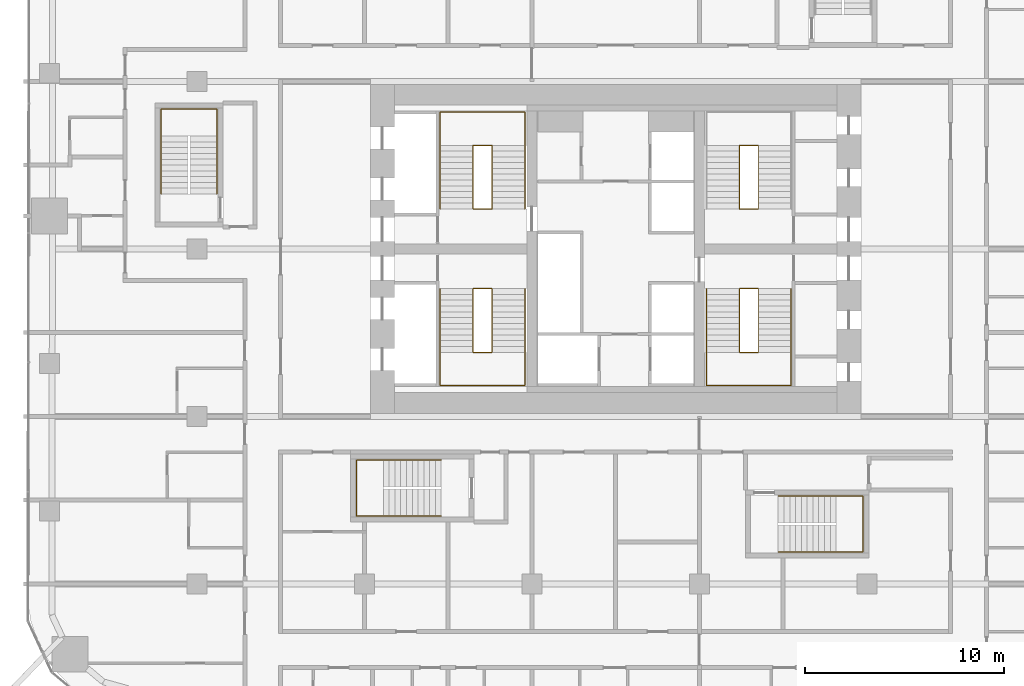
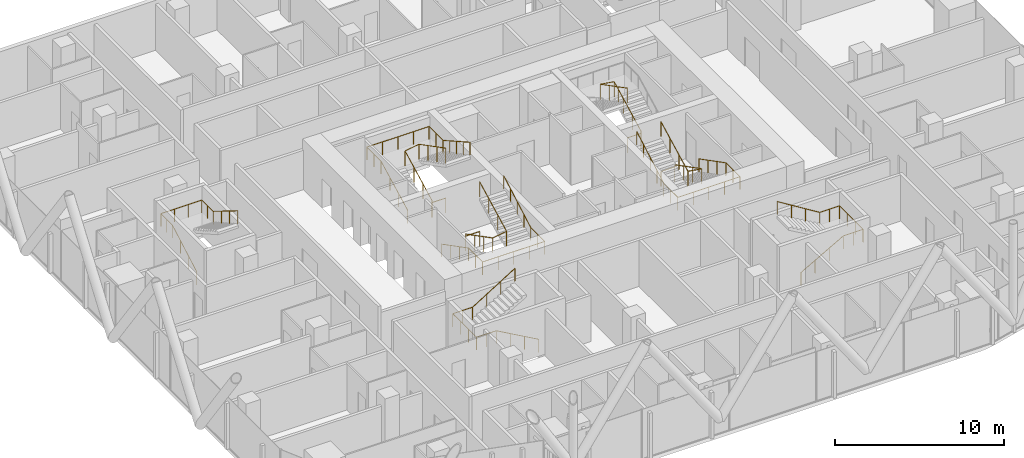
# One storey, part 34 of 35: 10 railings.
"""IFC4 building model written with IfcOpenShell, lengths in metres."""

from ifc_helpers import new_model, si_unit, direction, frame, origin, origin_2d, place, context, subcontext, project, spatial, circle, extrude, material, type_object, element, save


model = new_model("IFC4")

# Units and contexts
model_context = context("Model", 3, precision=1e-05, world=origin(), true_north=direction((0.0, 1.0)))
body_context = subcontext(model_context, "Body", "Model", "MODEL_VIEW")
ifc_project = project(units=[si_unit("LENGTHUNIT", "METRE"), si_unit("AREAUNIT", "SQUARE_METRE"), si_unit("VOLUMEUNIT", "CUBIC_METRE"), si_unit("PLANEANGLEUNIT", "RADIAN"), si_unit("MASSUNIT", "GRAM", prefix="KILO")], contexts=[model_context])

# Site, building, storey
site_placement = place(None, origin())
site = spatial("IfcSite", under=ifc_project, at=site_placement, CompositionType="ELEMENT")
building_placement = place(site_placement, origin())
building = spatial("IfcBuilding", under=site, at=building_placement, Name="Marenta Gate Hotel Tower", CompositionType="ELEMENT")
storey_placement = place(building_placement, frame((0.0, 0.0, 61.699951171875)))
storey = spatial("IfcBuildingStorey", under=building, at=storey_placement, Name="L13", CompositionType="ELEMENT", Elevation=61.699951171875)

# Railings
ifc_material_1 = material(Name="Stainless steel", Category="steel")
railing_type_1 = type_object("IfcRailingType", Name="Core stair handrail 950", PredefinedType="HANDRAIL", material=ifc_material_1)
railing_1_placement = place(storey_placement, frame((-8.800048828125, 6.39990234375, 0.150146484375)))
element("IfcRailing", 1, at=railing_1_placement, inside=storey, type_object=railing_type_1, Name="HR-950 L13-KR-ST1-1", PredefinedType="HANDRAIL", context=body_context, shape_type="SweptSolid", body=[
    extrude(circle(Radius=0.02392578125, at=origin_2d()), frame((0.0, 0.0, 0.92578125), z_axis=(0.0, -0.888225295554, 0.459408123936), x_axis=(1.0, 0.0, 0.0)), (0.0, 0.0, 1.0), 3.59130859375),
    extrude(circle(Radius=0.02392578125, at=origin_2d()), frame((0.0, -3.18994140625, 2.57568359375), z_axis=(0.0, -1.0, 0.0), x_axis=(1.0, 0.0, 0.0)), (0.0, 0.0, 1.0), 1.659912109375),
    extrude(circle(Radius=0.02392578125, at=origin_2d()), frame((0.0, -4.849853515625, 2.57568359375), z_axis=(1.0, 0.0, 0.0), x_axis=(0.0, 1.0, 0.0)), (0.0, 0.0, 1.0), 4.25),
    extrude(circle(Radius=0.02392578125, at=origin_2d()), frame((4.25, -4.849853515625, 2.57568359375), z_axis=(0.0, 1.0, 0.0), x_axis=(-1.0, 0.0, 0.0)), (0.0, 0.0, 1.0), 1.659912109375),
    extrude(circle(Radius=0.02392578125, at=origin_2d()), frame((4.25, -3.18994140625, 2.57568359375), z_axis=(0.0, 0.87090897868, 0.491444351738), x_axis=(-1.0, 0.0, 0.0)), (0.0, 0.0, 1.0), 3.662841796875),
    extrude(circle(Radius=0.02099609375, at=origin_2d()), origin(), (0.0, 0.0, 1.0), 0.90185546875),
    extrude(circle(Radius=0.02099609375, at=origin_2d()), frame((0.0, -1.063232421875, 0.550048828125)), (0.0, 0.0, 1.0), 0.90185546875),
    extrude(circle(Radius=0.02099609375, at=origin_2d()), frame((0.0, -2.126708984375, 1.099853515625)), (0.0, 0.0, 1.0), 0.90185546875),
    extrude(circle(Radius=0.02099609375, at=origin_2d()), frame((0.0, -3.18994140625, 1.64990234375)), (0.0, 0.0, 1.0), 0.90185546875),
    extrude(circle(Radius=0.02099609375, at=origin_2d()), frame((0.0, -4.02001953125, 1.64990234375)), (0.0, 0.0, 1.0), 0.90185546875),
    extrude(circle(Radius=0.02099609375, at=origin_2d()), frame((0.0, -4.849853515625, 1.64990234375)), (0.0, 0.0, 1.0), 0.90185546875),
    extrude(circle(Radius=0.02099609375, at=origin_2d()), frame((1.0625, -4.849853515625, 1.64990234375)), (0.0, 0.0, 1.0), 0.90185546875),
    extrude(circle(Radius=0.02099609375, at=origin_2d()), frame((2.125, -4.849853515625, 1.64990234375)), (0.0, 0.0, 1.0), 0.90185546875),
    extrude(circle(Radius=0.02099609375, at=origin_2d()), frame((3.1875, -4.849853515625, 1.64990234375)), (0.0, 0.0, 1.0), 0.90185546875),
    extrude(circle(Radius=0.02099609375, at=origin_2d()), frame((4.25, -4.849853515625, 1.64990234375)), (0.0, 0.0, 1.0), 0.90185546875),
    extrude(circle(Radius=0.02099609375, at=origin_2d()), frame((4.25, -4.02001953125, 1.64990234375)), (0.0, 0.0, 1.0), 0.90185546875),
    extrude(circle(Radius=0.02099609375, at=origin_2d()), frame((4.25, -3.18994140625, 1.64990234375)), (0.0, 0.0, 1.0), 0.90185546875),
    extrude(circle(Radius=0.02099609375, at=origin_2d()), frame((4.25, -2.392578125, 2.099853515625)), (0.0, 0.0, 1.0), 0.90185546875),
    extrude(circle(Radius=0.02099609375, at=origin_2d()), frame((4.25, -1.594970703125, 2.5498046875)), (0.0, 0.0, 1.0), 0.90185546875),
    extrude(circle(Radius=0.02099609375, at=origin_2d()), frame((4.25, -0.79736328125, 3.0)), (0.0, 0.0, 1.0), 0.90185546875),
    extrude(circle(Radius=0.02099609375, at=origin_2d()), frame((4.25, 0.0, 3.449951171875)), (0.0, 0.0, 1.0), 0.90185546875),
])
railing_2_placement = place(storey_placement, frame((-8.800048828125, 10.39990234375, 0.150146484375)))
element("IfcRailing", 2, at=railing_2_placement, inside=storey, type_object=railing_type_1, Name="HR-950 L13-KR-ST2-1", PredefinedType="HANDRAIL", context=body_context, shape_type="SweptSolid", body=[
    extrude(circle(Radius=0.02392578125, at=origin_2d()), frame((0.0, 0.0, 0.92578125), z_axis=(0.0, 0.888239641807, 0.459380385653), x_axis=(-1.0, 0.0, 0.0)), (0.0, 0.0, 1.0), 3.591552734375),
    extrude(circle(Radius=0.02392578125, at=origin_2d()), frame((0.0, 3.190185546875, 2.57568359375), z_axis=(0.0, 1.0, 0.0), x_axis=(-1.0, 0.0, 0.0)), (0.0, 0.0, 1.0), 1.659912109375),
    extrude(circle(Radius=0.02392578125, at=origin_2d()), frame((0.0, 4.85009765625, 2.57568359375), z_axis=(1.0, 0.0, 0.0), x_axis=(0.0, 1.0, 0.0)), (0.0, 0.0, 1.0), 4.25),
    extrude(circle(Radius=0.02392578125, at=origin_2d()), frame((4.25, 4.85009765625, 2.57568359375), z_axis=(0.0, -1.0, 0.0), x_axis=(1.0, 0.0, 0.0)), (0.0, 0.0, 1.0), 1.659912109375),
    extrude(circle(Radius=0.02392578125, at=origin_2d()), frame((4.25, 3.190185546875, 2.57568359375), z_axis=(0.0, -0.870925075533, 0.491415824742), x_axis=(1.0, 0.0, 0.0)), (0.0, 0.0, 1.0), 3.6630859375),
    extrude(circle(Radius=0.02099609375, at=origin_2d()), origin(), (0.0, 0.0, 1.0), 0.90185546875),
    extrude(circle(Radius=0.02099609375, at=origin_2d()), frame((0.0, 1.0634765625, 0.550048828125)), (0.0, 0.0, 1.0), 0.90185546875),
    extrude(circle(Radius=0.02099609375, at=origin_2d()), frame((0.0, 2.126708984375, 1.099853515625)), (0.0, 0.0, 1.0), 0.90185546875),
    extrude(circle(Radius=0.02099609375, at=origin_2d()), frame((0.0, 3.190185546875, 1.64990234375)), (0.0, 0.0, 1.0), 0.90185546875),
    extrude(circle(Radius=0.02099609375, at=origin_2d()), frame((0.0, 4.02001953125, 1.64990234375)), (0.0, 0.0, 1.0), 0.90185546875),
    extrude(circle(Radius=0.02099609375, at=origin_2d()), frame((0.0, 4.85009765625, 1.64990234375)), (0.0, 0.0, 1.0), 0.90185546875),
    extrude(circle(Radius=0.02099609375, at=origin_2d()), frame((1.0625, 4.85009765625, 1.64990234375)), (0.0, 0.0, 1.0), 0.90185546875),
    extrude(circle(Radius=0.02099609375, at=origin_2d()), frame((2.125, 4.85009765625, 1.64990234375)), (0.0, 0.0, 1.0), 0.90185546875),
    extrude(circle(Radius=0.02099609375, at=origin_2d()), frame((3.1875, 4.85009765625, 1.64990234375)), (0.0, 0.0, 1.0), 0.90185546875),
    extrude(circle(Radius=0.02099609375, at=origin_2d()), frame((4.25, 4.85009765625, 1.64990234375)), (0.0, 0.0, 1.0), 0.90185546875),
    extrude(circle(Radius=0.02099609375, at=origin_2d()), frame((4.25, 4.02001953125, 1.64990234375)), (0.0, 0.0, 1.0), 0.90185546875),
    extrude(circle(Radius=0.02099609375, at=origin_2d()), frame((4.25, 3.190185546875, 1.64990234375)), (0.0, 0.0, 1.0), 0.90185546875),
    extrude(circle(Radius=0.02099609375, at=origin_2d()), frame((4.25, 2.392578125, 2.099853515625)), (0.0, 0.0, 1.0), 0.90185546875),
    extrude(circle(Radius=0.02099609375, at=origin_2d()), frame((4.25, 1.59521484375, 2.5498046875)), (0.0, 0.0, 1.0), 0.90185546875),
    extrude(circle(Radius=0.02099609375, at=origin_2d()), frame((4.25, 0.797607421875, 3.0)), (0.0, 0.0, 1.0), 0.90185546875),
    extrude(circle(Radius=0.02099609375, at=origin_2d()), frame((4.25, 0.0, 3.449951171875)), (0.0, 0.0, 1.0), 0.90185546875),
])
railing_3_placement = place(storey_placement, frame((8.800048828125, 6.39990234375, 0.150146484375)))
element("IfcRailing", 3, at=railing_3_placement, inside=storey, type_object=railing_type_1, Name="HR-950 L13-KR-ST3-1", PredefinedType="HANDRAIL", context=body_context, shape_type="SweptSolid", body=[
    extrude(circle(Radius=0.02392578125, at=origin_2d()), frame((0.0, 0.0, 0.92578125), z_axis=(0.0, -0.888225295554, 0.459408123936), x_axis=(1.0, 0.0, 0.0)), (0.0, 0.0, 1.0), 3.59130859375),
    extrude(circle(Radius=0.02392578125, at=origin_2d()), frame((0.0, -3.18994140625, 2.57568359375), z_axis=(0.0, -1.0, 0.0), x_axis=(1.0, 0.0, 0.0)), (0.0, 0.0, 1.0), 1.659912109375),
    extrude(circle(Radius=0.02392578125, at=origin_2d()), frame((0.0, -4.849853515625, 2.57568359375), z_axis=(-1.0, 0.0, 0.0), x_axis=(0.0, -1.0, 0.0)), (0.0, 0.0, 1.0), 4.25),
    extrude(circle(Radius=0.02392578125, at=origin_2d()), frame((-4.25, -4.849853515625, 2.57568359375), z_axis=(0.0, 1.0, 0.0), x_axis=(-1.0, 0.0, 0.0)), (0.0, 0.0, 1.0), 1.659912109375),
    extrude(circle(Radius=0.02392578125, at=origin_2d()), frame((-4.25, -3.18994140625, 2.57568359375), z_axis=(0.0, 0.87090897868, 0.491444351738), x_axis=(-1.0, 0.0, 0.0)), (0.0, 0.0, 1.0), 3.662841796875),
    extrude(circle(Radius=0.02099609375, at=origin_2d()), origin(), (0.0, 0.0, 1.0), 0.90185546875),
    extrude(circle(Radius=0.02099609375, at=origin_2d()), frame((0.0, -1.063232421875, 0.550048828125)), (0.0, 0.0, 1.0), 0.90185546875),
    extrude(circle(Radius=0.02099609375, at=origin_2d()), frame((0.0, -2.126708984375, 1.099853515625)), (0.0, 0.0, 1.0), 0.90185546875),
    extrude(circle(Radius=0.02099609375, at=origin_2d()), frame((0.0, -3.18994140625, 1.64990234375)), (0.0, 0.0, 1.0), 0.90185546875),
    extrude(circle(Radius=0.02099609375, at=origin_2d()), frame((0.0, -4.02001953125, 1.64990234375)), (0.0, 0.0, 1.0), 0.90185546875),
    extrude(circle(Radius=0.02099609375, at=origin_2d()), frame((0.0, -4.849853515625, 1.64990234375)), (0.0, 0.0, 1.0), 0.90185546875),
    extrude(circle(Radius=0.02099609375, at=origin_2d()), frame((-1.0625, -4.849853515625, 1.64990234375)), (0.0, 0.0, 1.0), 0.90185546875),
    extrude(circle(Radius=0.02099609375, at=origin_2d()), frame((-2.125, -4.849853515625, 1.64990234375)), (0.0, 0.0, 1.0), 0.90185546875),
    extrude(circle(Radius=0.02099609375, at=origin_2d()), frame((-3.1875, -4.849853515625, 1.64990234375)), (0.0, 0.0, 1.0), 0.90185546875),
    extrude(circle(Radius=0.02099609375, at=origin_2d()), frame((-4.25, -4.849853515625, 1.64990234375)), (0.0, 0.0, 1.0), 0.90185546875),
    extrude(circle(Radius=0.02099609375, at=origin_2d()), frame((-4.25, -4.02001953125, 1.64990234375)), (0.0, 0.0, 1.0), 0.90185546875),
    extrude(circle(Radius=0.02099609375, at=origin_2d()), frame((-4.25, -3.18994140625, 1.64990234375)), (0.0, 0.0, 1.0), 0.90185546875),
    extrude(circle(Radius=0.02099609375, at=origin_2d()), frame((-4.25, -2.392578125, 2.099853515625)), (0.0, 0.0, 1.0), 0.90185546875),
    extrude(circle(Radius=0.02099609375, at=origin_2d()), frame((-4.25, -1.594970703125, 2.5498046875)), (0.0, 0.0, 1.0), 0.90185546875),
    extrude(circle(Radius=0.02099609375, at=origin_2d()), frame((-4.25, -0.79736328125, 3.0)), (0.0, 0.0, 1.0), 0.90185546875),
    extrude(circle(Radius=0.02099609375, at=origin_2d()), frame((-4.25, 0.0, 3.449951171875)), (0.0, 0.0, 1.0), 0.90185546875),
])
railing_4_placement = place(storey_placement, frame((8.14990234375, -6.800048828125, 0.16357421875)))
element("IfcRailing", 4, at=railing_4_placement, inside=storey, type_object=railing_type_1, Name="HR-950 L13-RS-Z1-1-KR-1", PredefinedType="HANDRAIL", context=body_context, shape_type="SweptSolid", body=[
    extrude(circle(Radius=0.02392578125, at=origin_2d()), frame((0.0, 0.0, 0.92578125), z_axis=(0.870914908162, 0.0, 0.491433843708), x_axis=(0.0, 1.0, 0.0)), (0.0, 0.0, 1.0), 3.330078125),
    extrude(circle(Radius=0.02392578125, at=origin_2d()), frame((2.900146484375, 0.0, 2.5625), z_axis=(1.0, 0.0, 0.0), x_axis=(0.0, 1.0, 0.0)), (0.0, 0.0, 1.0), 1.349853515625),
    extrude(circle(Radius=0.02392578125, at=origin_2d()), frame((4.25, 0.0, 2.5625), z_axis=(0.0, 1.0, 0.0), x_axis=(-1.0, 0.0, 0.0)), (0.0, 0.0, 1.0), 2.800048828125),
    extrude(circle(Radius=0.02392578125, at=origin_2d()), frame((4.25, 2.800048828125, 2.5625), z_axis=(-1.0, 0.0, 0.0), x_axis=(0.0, -1.0, 0.0)), (0.0, 0.0, 1.0), 1.349853515625),
    extrude(circle(Radius=0.02392578125, at=origin_2d()), frame((2.900146484375, 2.800048828125, 2.5625), z_axis=(-0.849645691689, 0.0, 0.527353959494), x_axis=(0.0, -1.0, 0.0)), (0.0, 0.0, 1.0), 3.413330078125),
    extrude(circle(Radius=0.02099609375, at=origin_2d()), origin(), (0.0, 0.0, 1.0), 0.90185546875),
    extrude(circle(Radius=0.02099609375, at=origin_2d()), frame((0.966796875, 0.0, 0.54541015625)), (0.0, 0.0, 1.0), 0.90185546875),
    extrude(circle(Radius=0.02099609375, at=origin_2d()), frame((1.933349609375, 0.0, 1.091064453125)), (0.0, 0.0, 1.0), 0.90185546875),
    extrude(circle(Radius=0.02099609375, at=origin_2d()), frame((2.900146484375, 0.0, 1.636474609375)), (0.0, 0.0, 1.0), 0.90185546875),
    extrude(circle(Radius=0.02099609375, at=origin_2d()), frame((3.5751953125, 0.0, 1.636474609375)), (0.0, 0.0, 1.0), 0.90185546875),
    extrude(circle(Radius=0.02099609375, at=origin_2d()), frame((4.25, 0.0, 1.636474609375)), (0.0, 0.0, 1.0), 0.90185546875),
    extrude(circle(Radius=0.02099609375, at=origin_2d()), frame((4.25, 0.933349609375, 1.636474609375)), (0.0, 0.0, 1.0), 0.90185546875),
    extrude(circle(Radius=0.02099609375, at=origin_2d()), frame((4.25, 1.86669921875, 1.636474609375)), (0.0, 0.0, 1.0), 0.90185546875),
    extrude(circle(Radius=0.02099609375, at=origin_2d()), frame((4.25, 2.800048828125, 1.636474609375)), (0.0, 0.0, 1.0), 0.90185546875),
    extrude(circle(Radius=0.02099609375, at=origin_2d()), frame((3.5751953125, 2.800048828125, 1.636474609375)), (0.0, 0.0, 1.0), 0.90185546875),
    extrude(circle(Radius=0.02099609375, at=origin_2d()), frame((2.900146484375, 2.800048828125, 1.636474609375)), (0.0, 0.0, 1.0), 0.90185546875),
    extrude(circle(Radius=0.02099609375, at=origin_2d()), frame((1.933349609375, 2.800048828125, 2.236572265625)), (0.0, 0.0, 1.0), 0.90185546875),
    extrude(circle(Radius=0.02099609375, at=origin_2d()), frame((0.966796875, 2.800048828125, 2.83642578125)), (0.0, 0.0, 1.0), 0.90185546875),
    extrude(circle(Radius=0.02099609375, at=origin_2d()), frame((0.0, 2.800048828125, 3.4365234375)), (0.0, 0.0, 1.0), 0.90185546875),
])
railing_5_placement = place(storey_placement, frame((-8.75, -5.0, 0.16357421875)))
element("IfcRailing", 5, at=railing_5_placement, inside=storey, type_object=railing_type_1, Name="HR-950 L13-RS-Z1-2-KR-1", PredefinedType="HANDRAIL", context=body_context, shape_type="SweptSolid", body=[
    extrude(circle(Radius=0.02392578125, at=origin_2d()), frame((0.0, 0.0, 0.92578125), z_axis=(-0.870897200241, 0.0, 0.491465224214), x_axis=(0.0, -1.0, 0.0)), (0.0, 0.0, 1.0), 3.329833984375),
    extrude(circle(Radius=0.02392578125, at=origin_2d()), frame((-2.89990234375, 0.0, 2.5625), z_axis=(-1.0, 0.0, 0.0), x_axis=(0.0, -1.0, 0.0)), (0.0, 0.0, 1.0), 1.35009765625),
    extrude(circle(Radius=0.02392578125, at=origin_2d()), frame((-4.25, 0.0, 2.5625), z_axis=(0.0, 1.0, 0.0), x_axis=(-1.0, 0.0, 0.0)), (0.0, 0.0, 1.0), 2.800048828125),
    extrude(circle(Radius=0.02392578125, at=origin_2d()), frame((-4.25, 2.800048828125, 2.5625), z_axis=(1.0, 0.0, 0.0), x_axis=(0.0, 1.0, 0.0)), (0.0, 0.0, 1.0), 1.35009765625),
    extrude(circle(Radius=0.02392578125, at=origin_2d()), frame((-2.89990234375, 2.800048828125, 2.5625), z_axis=(0.849625798611, 0.0, 0.527386008853), x_axis=(0.0, 1.0, 0.0)), (0.0, 0.0, 1.0), 3.4130859375),
    extrude(circle(Radius=0.02099609375, at=origin_2d()), origin(), (0.0, 0.0, 1.0), 0.90185546875),
    extrude(circle(Radius=0.02099609375, at=origin_2d()), frame((-0.966552734375, 0.0, 0.54541015625)), (0.0, 0.0, 1.0), 0.90185546875),
    extrude(circle(Radius=0.02099609375, at=origin_2d()), frame((-1.933349609375, 0.0, 1.091064453125)), (0.0, 0.0, 1.0), 0.90185546875),
    extrude(circle(Radius=0.02099609375, at=origin_2d()), frame((-2.89990234375, 0.0, 1.636474609375)), (0.0, 0.0, 1.0), 0.90185546875),
    extrude(circle(Radius=0.02099609375, at=origin_2d()), frame((-3.574951171875, 0.0, 1.636474609375)), (0.0, 0.0, 1.0), 0.90185546875),
    extrude(circle(Radius=0.02099609375, at=origin_2d()), frame((-4.25, 0.0, 1.636474609375)), (0.0, 0.0, 1.0), 0.90185546875),
    extrude(circle(Radius=0.02099609375, at=origin_2d()), frame((-4.25, 0.933349609375, 1.636474609375)), (0.0, 0.0, 1.0), 0.90185546875),
    extrude(circle(Radius=0.02099609375, at=origin_2d()), frame((-4.25, 1.86669921875, 1.636474609375)), (0.0, 0.0, 1.0), 0.90185546875),
    extrude(circle(Radius=0.02099609375, at=origin_2d()), frame((-4.25, 2.800048828125, 1.636474609375)), (0.0, 0.0, 1.0), 0.90185546875),
    extrude(circle(Radius=0.02099609375, at=origin_2d()), frame((-3.574951171875, 2.800048828125, 1.636474609375)), (0.0, 0.0, 1.0), 0.90185546875),
    extrude(circle(Radius=0.02099609375, at=origin_2d()), frame((-2.89990234375, 2.800048828125, 1.636474609375)), (0.0, 0.0, 1.0), 0.90185546875),
    extrude(circle(Radius=0.02099609375, at=origin_2d()), frame((-1.933349609375, 2.800048828125, 2.236572265625)), (0.0, 0.0, 1.0), 0.90185546875),
    extrude(circle(Radius=0.02099609375, at=origin_2d()), frame((-0.966552734375, 2.800048828125, 2.83642578125)), (0.0, 0.0, 1.0), 0.90185546875),
    extrude(circle(Radius=0.02099609375, at=origin_2d()), frame((0.0, 2.800048828125, 3.4365234375)), (0.0, 0.0, 1.0), 0.90185546875),
])
railing_6_placement = place(storey_placement, frame((-22.800048828125, 11.14990234375, 0.16357421875)))
element("IfcRailing", 6, at=railing_6_placement, inside=storey, type_object=railing_type_1, Name="HR-950 L13-RS-Z1-3-KR-1", PredefinedType="HANDRAIL", context=body_context, shape_type="SweptSolid", body=[
    extrude(circle(Radius=0.02392578125, at=origin_2d()), frame((0.0, 0.0, 0.92578125), z_axis=(0.0, 0.870914908162, 0.491433843708), x_axis=(-1.0, 0.0, 0.0)), (0.0, 0.0, 1.0), 3.330078125),
    extrude(circle(Radius=0.02392578125, at=origin_2d()), frame((0.0, 2.900146484375, 2.5625), z_axis=(0.0, 1.0, 0.0), x_axis=(-1.0, 0.0, 0.0)), (0.0, 0.0, 1.0), 1.349853515625),
    extrude(circle(Radius=0.02392578125, at=origin_2d()), frame((0.0, 4.25, 2.5625), z_axis=(1.0, 0.0, 0.0), x_axis=(0.0, 1.0, 0.0)), (0.0, 0.0, 1.0), 2.800048828125),
    extrude(circle(Radius=0.02392578125, at=origin_2d()), frame((2.800048828125, 4.25, 2.5625), z_axis=(0.0, -1.0, 0.0), x_axis=(1.0, 0.0, 0.0)), (0.0, 0.0, 1.0), 1.349853515625),
    extrude(circle(Radius=0.02392578125, at=origin_2d()), frame((2.800048828125, 2.900146484375, 2.5625), z_axis=(0.0, -0.849645691689, 0.527353959494), x_axis=(1.0, 0.0, 0.0)), (0.0, 0.0, 1.0), 3.413330078125),
    extrude(circle(Radius=0.02099609375, at=origin_2d()), origin(), (0.0, 0.0, 1.0), 0.90185546875),
    extrude(circle(Radius=0.02099609375, at=origin_2d()), frame((0.0, 0.966796875, 0.54541015625)), (0.0, 0.0, 1.0), 0.90185546875),
    extrude(circle(Radius=0.02099609375, at=origin_2d()), frame((0.0, 1.933349609375, 1.091064453125)), (0.0, 0.0, 1.0), 0.90185546875),
    extrude(circle(Radius=0.02099609375, at=origin_2d()), frame((0.0, 2.900146484375, 1.636474609375)), (0.0, 0.0, 1.0), 0.90185546875),
    extrude(circle(Radius=0.02099609375, at=origin_2d()), frame((0.0, 3.5751953125, 1.636474609375)), (0.0, 0.0, 1.0), 0.90185546875),
    extrude(circle(Radius=0.02099609375, at=origin_2d()), frame((0.0, 4.25, 1.636474609375)), (0.0, 0.0, 1.0), 0.90185546875),
    extrude(circle(Radius=0.02099609375, at=origin_2d()), frame((0.933349609375, 4.25, 1.636474609375)), (0.0, 0.0, 1.0), 0.90185546875),
    extrude(circle(Radius=0.02099609375, at=origin_2d()), frame((1.86669921875, 4.25, 1.636474609375)), (0.0, 0.0, 1.0), 0.90185546875),
    extrude(circle(Radius=0.02099609375, at=origin_2d()), frame((2.800048828125, 4.25, 1.636474609375)), (0.0, 0.0, 1.0), 0.90185546875),
    extrude(circle(Radius=0.02099609375, at=origin_2d()), frame((2.800048828125, 3.5751953125, 1.636474609375)), (0.0, 0.0, 1.0), 0.90185546875),
    extrude(circle(Radius=0.02099609375, at=origin_2d()), frame((2.800048828125, 2.900146484375, 1.636474609375)), (0.0, 0.0, 1.0), 0.90185546875),
    extrude(circle(Radius=0.02099609375, at=origin_2d()), frame((2.800048828125, 1.933349609375, 2.236572265625)), (0.0, 0.0, 1.0), 0.90185546875),
    extrude(circle(Radius=0.02099609375, at=origin_2d()), frame((2.800048828125, 0.966796875, 2.83642578125)), (0.0, 0.0, 1.0), 0.90185546875),
    extrude(circle(Radius=0.02099609375, at=origin_2d()), frame((2.800048828125, 0.0, 3.4365234375)), (0.0, 0.0, 1.0), 0.90185546875),
])
ifc_material_2 = material(Name="Stainless steel", Category="steel")
railing_type_2 = type_object("IfcRailingType", Name="Core stair well guard 1100", PredefinedType="GUARDRAIL", material=ifc_material_2)
railing_7_placement = place(storey_placement, frame((-6.199951171875, 6.39990234375, 0.0)))
element("IfcRailing", 7, at=railing_7_placement, inside=storey, type_object=railing_type_2, Name="GR-1100 L13-KR-ST1-2", PredefinedType="GUARDRAIL", context=body_context, shape_type="SweptSolid", body=[
    extrude(circle(Radius=0.02392578125, at=origin_2d()), frame((0.0, 0.0, 1.076171875), z_axis=(-1.0, 0.0, 0.0), x_axis=(0.0, -1.0, 0.0)), (0.0, 0.0, 1.0), 0.949951171875),
    extrude(circle(Radius=0.02392578125, at=origin_2d()), frame((-0.949951171875, 0.0, 1.076171875), z_axis=(0.0, 0.0, 1.0), x_axis=(1.0, 0.0, 0.0)), (0.0, 0.0, 1.0), 0.150146484375),
    extrude(circle(Radius=0.02392578125, at=origin_2d()), frame((-0.949951171875, 0.0, 1.22607421875), z_axis=(0.0, -0.888225295554, 0.459408123936), x_axis=(1.0, 0.0, 0.0)), (0.0, 0.0, 1.0), 3.59130859375),
    extrude(circle(Radius=0.02392578125, at=origin_2d()), frame((-0.949951171875, -3.18994140625, 2.8759765625), z_axis=(0.987777369502, 0.0, 0.15587131968), x_axis=(0.0, 1.0, 0.0)), (0.0, 0.0, 1.0), 0.961669921875),
    extrude(circle(Radius=0.02392578125, at=origin_2d()), frame((0.0, -3.18994140625, 3.02587890625), z_axis=(0.0, 0.888197555067, 0.459461753765), x_axis=(-1.0, 0.0, 0.0)), (0.0, 0.0, 1.0), 3.591552734375),
    extrude(circle(Radius=0.02099609375, at=origin_2d()), origin(), (0.0, 0.0, 1.0), 1.052001953125),
    extrude(circle(Radius=0.02099609375, at=origin_2d()), frame((-0.949951171875, 0.0, 0.0)), (0.0, 0.0, 1.0), 1.052001953125),
    extrude(circle(Radius=0.02099609375, at=origin_2d()), frame((-0.949951171875, 0.0, 0.150146484375)), (0.0, 0.0, 1.0), 1.052001953125),
    extrude(circle(Radius=0.02099609375, at=origin_2d()), frame((-0.949951171875, -1.063232421875, 0.7001953125)), (0.0, 0.0, 1.0), 1.052001953125),
    extrude(circle(Radius=0.02099609375, at=origin_2d()), frame((-0.949951171875, -2.126708984375, 1.25)), (0.0, 0.0, 1.0), 1.052001953125),
    extrude(circle(Radius=0.02099609375, at=origin_2d()), frame((-0.949951171875, -3.18994140625, 1.800048828125)), (0.0, 0.0, 1.0), 1.052001953125),
    extrude(circle(Radius=0.02099609375, at=origin_2d()), frame((0.0, -3.18994140625, 1.949951171875)), (0.0, 0.0, 1.0), 1.052001953125),
    extrude(circle(Radius=0.02099609375, at=origin_2d()), frame((0.0, -2.126708984375, 2.5)), (0.0, 0.0, 1.0), 1.052001953125),
    extrude(circle(Radius=0.02099609375, at=origin_2d()), frame((0.0, -1.063232421875, 3.050048828125)), (0.0, 0.0, 1.0), 1.052001953125),
    extrude(circle(Radius=0.02099609375, at=origin_2d()), frame((0.0, 0.0, 3.60009765625)), (0.0, 0.0, 1.0), 1.052001953125),
])
railing_8_placement = place(storey_placement, frame((-6.199951171875, 10.39990234375, 0.0)))
element("IfcRailing", 8, at=railing_8_placement, inside=storey, type_object=railing_type_2, Name="GR-1100 L13-KR-ST2-2", PredefinedType="GUARDRAIL", context=body_context, shape_type="SweptSolid", body=[
    extrude(circle(Radius=0.02392578125, at=origin_2d()), frame((0.0, 0.0, 1.076171875), z_axis=(-1.0, 0.0, 0.0), x_axis=(0.0, -1.0, 0.0)), (0.0, 0.0, 1.0), 0.949951171875),
    extrude(circle(Radius=0.02392578125, at=origin_2d()), frame((-0.949951171875, 0.0, 1.076171875), z_axis=(0.0, 0.0, 1.0), x_axis=(1.0, 0.0, 0.0)), (0.0, 0.0, 1.0), 0.150146484375),
    extrude(circle(Radius=0.02392578125, at=origin_2d()), frame((-0.949951171875, 0.0, 1.22607421875), z_axis=(0.0, 0.888239641807, 0.459380385653), x_axis=(-1.0, 0.0, 0.0)), (0.0, 0.0, 1.0), 3.591552734375),
    extrude(circle(Radius=0.02392578125, at=origin_2d()), frame((-0.949951171875, 3.190185546875, 2.8759765625), z_axis=(0.987777369502, 0.0, 0.15587131968), x_axis=(0.0, 1.0, 0.0)), (0.0, 0.0, 1.0), 0.961669921875),
    extrude(circle(Radius=0.02392578125, at=origin_2d()), frame((0.0, 3.190185546875, 3.02587890625), z_axis=(0.0, -0.888211904222, 0.459434013977), x_axis=(1.0, 0.0, 0.0)), (0.0, 0.0, 1.0), 3.591796875),
    extrude(circle(Radius=0.02099609375, at=origin_2d()), origin(), (0.0, 0.0, 1.0), 1.052001953125),
    extrude(circle(Radius=0.02099609375, at=origin_2d()), frame((-0.949951171875, 0.0, 0.0)), (0.0, 0.0, 1.0), 1.052001953125),
    extrude(circle(Radius=0.02099609375, at=origin_2d()), frame((-0.949951171875, 0.0, 0.150146484375)), (0.0, 0.0, 1.0), 1.052001953125),
    extrude(circle(Radius=0.02099609375, at=origin_2d()), frame((-0.949951171875, 1.0634765625, 0.7001953125)), (0.0, 0.0, 1.0), 1.052001953125),
    extrude(circle(Radius=0.02099609375, at=origin_2d()), frame((-0.949951171875, 2.126708984375, 1.25)), (0.0, 0.0, 1.0), 1.052001953125),
    extrude(circle(Radius=0.02099609375, at=origin_2d()), frame((-0.949951171875, 3.190185546875, 1.800048828125)), (0.0, 0.0, 1.0), 1.052001953125),
    extrude(circle(Radius=0.02099609375, at=origin_2d()), frame((0.0, 3.190185546875, 1.949951171875)), (0.0, 0.0, 1.0), 1.052001953125),
    extrude(circle(Radius=0.02099609375, at=origin_2d()), frame((0.0, 2.126708984375, 2.5)), (0.0, 0.0, 1.0), 1.052001953125),
    extrude(circle(Radius=0.02099609375, at=origin_2d()), frame((0.0, 1.0634765625, 3.050048828125)), (0.0, 0.0, 1.0), 1.052001953125),
    extrude(circle(Radius=0.02099609375, at=origin_2d()), frame((0.0, 0.0, 3.60009765625)), (0.0, 0.0, 1.0), 1.052001953125),
])
railing_9_placement = place(storey_placement, frame((6.199951171875, 6.39990234375, 0.0)))
element("IfcRailing", 9, at=railing_9_placement, inside=storey, type_object=railing_type_2, Name="GR-1100 L13-KR-ST3-2", PredefinedType="GUARDRAIL", context=body_context, shape_type="SweptSolid", body=[
    extrude(circle(Radius=0.02392578125, at=origin_2d()), frame((0.0, 0.0, 1.076171875), z_axis=(1.0, 0.0, 0.0), x_axis=(0.0, 1.0, 0.0)), (0.0, 0.0, 1.0), 0.949951171875),
    extrude(circle(Radius=0.02392578125, at=origin_2d()), frame((0.949951171875, 0.0, 1.076171875), z_axis=(0.0, 0.0, 1.0), x_axis=(1.0, 0.0, 0.0)), (0.0, 0.0, 1.0), 0.150146484375),
    extrude(circle(Radius=0.02392578125, at=origin_2d()), frame((0.949951171875, 0.0, 1.22607421875), z_axis=(0.0, -0.888225295554, 0.459408123936), x_axis=(1.0, 0.0, 0.0)), (0.0, 0.0, 1.0), 3.59130859375),
    extrude(circle(Radius=0.02392578125, at=origin_2d()), frame((0.949951171875, -3.18994140625, 2.8759765625), z_axis=(-0.987777369502, 0.0, 0.15587131968), x_axis=(0.0, -1.0, 0.0)), (0.0, 0.0, 1.0), 0.961669921875),
    extrude(circle(Radius=0.02392578125, at=origin_2d()), frame((0.0, -3.18994140625, 3.02587890625), z_axis=(0.0, 0.888197555067, 0.459461753765), x_axis=(-1.0, 0.0, 0.0)), (0.0, 0.0, 1.0), 3.591552734375),
    extrude(circle(Radius=0.02099609375, at=origin_2d()), origin(), (0.0, 0.0, 1.0), 1.052001953125),
    extrude(circle(Radius=0.02099609375, at=origin_2d()), frame((0.949951171875, 0.0, 0.0)), (0.0, 0.0, 1.0), 1.052001953125),
    extrude(circle(Radius=0.02099609375, at=origin_2d()), frame((0.949951171875, 0.0, 0.150146484375)), (0.0, 0.0, 1.0), 1.052001953125),
    extrude(circle(Radius=0.02099609375, at=origin_2d()), frame((0.949951171875, -1.063232421875, 0.7001953125)), (0.0, 0.0, 1.0), 1.052001953125),
    extrude(circle(Radius=0.02099609375, at=origin_2d()), frame((0.949951171875, -2.126708984375, 1.25)), (0.0, 0.0, 1.0), 1.052001953125),
    extrude(circle(Radius=0.02099609375, at=origin_2d()), frame((0.949951171875, -3.18994140625, 1.800048828125)), (0.0, 0.0, 1.0), 1.052001953125),
    extrude(circle(Radius=0.02099609375, at=origin_2d()), frame((0.0, -3.18994140625, 1.949951171875)), (0.0, 0.0, 1.0), 1.052001953125),
    extrude(circle(Radius=0.02099609375, at=origin_2d()), frame((0.0, -2.126708984375, 2.5)), (0.0, 0.0, 1.0), 1.052001953125),
    extrude(circle(Radius=0.02099609375, at=origin_2d()), frame((0.0, -1.063232421875, 3.050048828125)), (0.0, 0.0, 1.0), 1.052001953125),
    extrude(circle(Radius=0.02099609375, at=origin_2d()), frame((0.0, 0.0, 3.60009765625)), (0.0, 0.0, 1.0), 1.052001953125),
])
railing_10_placement = place(storey_placement, frame((6.199951171875, 10.39990234375, 0.0)))
element("IfcRailing", 10, at=railing_10_placement, inside=storey, type_object=railing_type_2, Name="GR-1100 L13-KR-ST4-2", PredefinedType="GUARDRAIL", context=body_context, shape_type="SweptSolid", body=[
    extrude(circle(Radius=0.02392578125, at=origin_2d()), frame((0.0, 0.0, 1.076171875), z_axis=(1.0, 0.0, 0.0), x_axis=(0.0, 1.0, 0.0)), (0.0, 0.0, 1.0), 0.949951171875),
    extrude(circle(Radius=0.02392578125, at=origin_2d()), frame((0.949951171875, 0.0, 1.076171875), z_axis=(0.0, 0.0, 1.0), x_axis=(1.0, 0.0, 0.0)), (0.0, 0.0, 1.0), 0.150146484375),
    extrude(circle(Radius=0.02392578125, at=origin_2d()), frame((0.949951171875, 0.0, 1.22607421875), z_axis=(0.0, 0.888239641807, 0.459380385653), x_axis=(-1.0, 0.0, 0.0)), (0.0, 0.0, 1.0), 3.591552734375),
    extrude(circle(Radius=0.02392578125, at=origin_2d()), frame((0.949951171875, 3.190185546875, 2.8759765625), z_axis=(-0.987777369502, 0.0, 0.15587131968), x_axis=(0.0, -1.0, 0.0)), (0.0, 0.0, 1.0), 0.961669921875),
    extrude(circle(Radius=0.02392578125, at=origin_2d()), frame((0.0, 3.190185546875, 3.02587890625), z_axis=(0.0, -0.888211904222, 0.459434013977), x_axis=(1.0, 0.0, 0.0)), (0.0, 0.0, 1.0), 3.591796875),
    extrude(circle(Radius=0.02099609375, at=origin_2d()), origin(), (0.0, 0.0, 1.0), 1.052001953125),
    extrude(circle(Radius=0.02099609375, at=origin_2d()), frame((0.949951171875, 0.0, 0.0)), (0.0, 0.0, 1.0), 1.052001953125),
    extrude(circle(Radius=0.02099609375, at=origin_2d()), frame((0.949951171875, 0.0, 0.150146484375)), (0.0, 0.0, 1.0), 1.052001953125),
    extrude(circle(Radius=0.02099609375, at=origin_2d()), frame((0.949951171875, 1.0634765625, 0.7001953125)), (0.0, 0.0, 1.0), 1.052001953125),
    extrude(circle(Radius=0.02099609375, at=origin_2d()), frame((0.949951171875, 2.126708984375, 1.25)), (0.0, 0.0, 1.0), 1.052001953125),
    extrude(circle(Radius=0.02099609375, at=origin_2d()), frame((0.949951171875, 3.190185546875, 1.800048828125)), (0.0, 0.0, 1.0), 1.052001953125),
    extrude(circle(Radius=0.02099609375, at=origin_2d()), frame((0.0, 3.190185546875, 1.949951171875)), (0.0, 0.0, 1.0), 1.052001953125),
    extrude(circle(Radius=0.02099609375, at=origin_2d()), frame((0.0, 2.126708984375, 2.5)), (0.0, 0.0, 1.0), 1.052001953125),
    extrude(circle(Radius=0.02099609375, at=origin_2d()), frame((0.0, 1.0634765625, 3.050048828125)), (0.0, 0.0, 1.0), 1.052001953125),
    extrude(circle(Radius=0.02099609375, at=origin_2d()), frame((0.0, 0.0, 3.60009765625)), (0.0, 0.0, 1.0), 1.052001953125),
])

save(model, "model.ifc")
